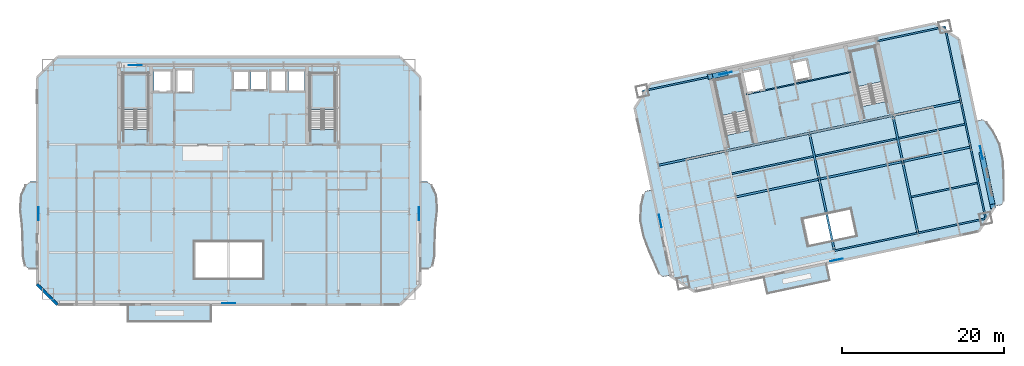
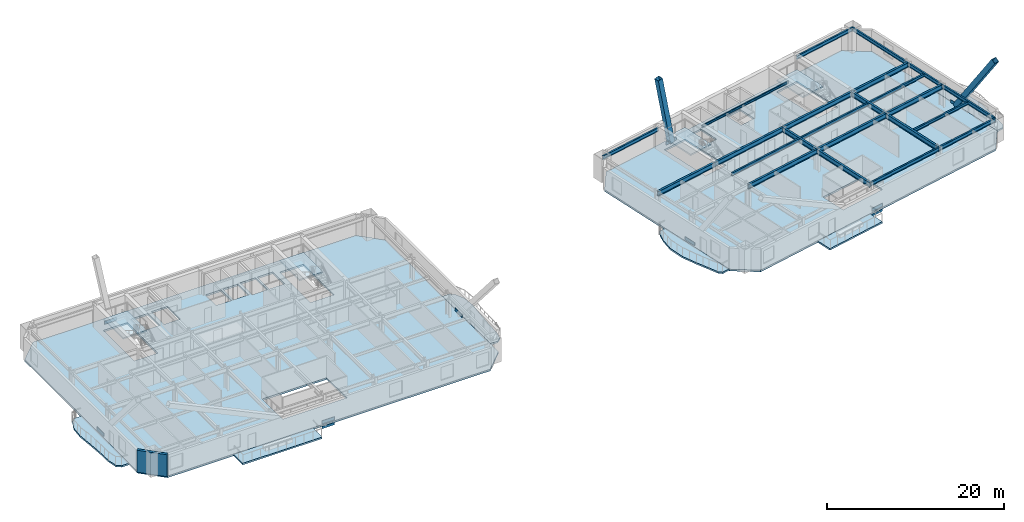
# One storey, part 4 of 15: 23 beams, 12 slabs, 8 plates, 2 members, 1 wall, 4 elements without a shape of their own.
"""IFC4 building model written with IfcOpenShell, lengths in metres."""

from ifc_helpers import new_model, si_unit, direction, frame, frame_2d, origin, origin_2d, place, context, subcontext, project, spatial, polyline, rectangle, hollow_rectangle, i_section, outline, extrude, material, layer, layer_set, material_profile, profile_set, type_object, element, aggregate, save


model = new_model("IFC4")

# Units and contexts
model_context = context("Model", 3, precision=1e-05, world=origin(), true_north=direction((0.0, 1.0)))
body_context = subcontext(model_context, "Body", "Model", "MODEL_VIEW")
ifc_project = project(units=[si_unit("LENGTHUNIT", "METRE"), si_unit("AREAUNIT", "SQUARE_METRE"), si_unit("VOLUMEUNIT", "CUBIC_METRE"), si_unit("PLANEANGLEUNIT", "RADIAN"), si_unit("MASSUNIT", "GRAM", prefix="KILO")], contexts=[model_context])

# Site, building, storey
site_placement = place(None, origin())
site = spatial("IfcSite", under=ifc_project, at=site_placement, CompositionType="ELEMENT")
building_placement = place(site_placement, origin())
building = spatial("IfcBuilding", under=site, at=building_placement, Name="Haevon Station Towers", CompositionType="ELEMENT")
storey_placement = place(building_placement, frame((0.0, 0.0, 103.199951171875)))
storey = spatial("IfcBuildingStorey", under=building, at=storey_placement, Name="L27", CompositionType="ELEMENT", Elevation=103.199951171875)

# Beams
ifc_material_1 = material(Name="Steel S355", Category="steel")
ifc_material_profile_1 = material_profile(ifc_material_1, i_section(OverallWidth=0.25, OverallDepth=0.64990234375, WebThickness=0.012939453125, FlangeThickness=0.02197265625, at=origin_2d()), Name="H-650x250x13x22")
ifc_profile_set_1 = profile_set([ifc_material_profile_1], Name="Steel S355")
beam_type_1 = type_object("IfcBeamType", Name="BM-G650", PredefinedType="BEAM", material=ifc_profile_set_1)
for number, where, z_axis, x_axis, name in (
    (1, (99.958251953125, 31.76904296875, 2.72509765625), (0.978146794194, 0.207915485254, 0.0), (-0.207915485254, 0.978146794194, 0.0), "BM-T2U-L27-02-02"),
    (2, (110.228759765625, 33.9521484375, 2.72509765625), (0.978146794194, 0.207915485254, 0.0), (-0.207915485254, 0.978146794194, 0.0), "BM-T2U-L27-02-03"),
):
    element("IfcBeam", number, at=place(storey_placement, frame(where, z_axis=z_axis, x_axis=x_axis)), inside=storey, type_object=beam_type_1, Name=name, PredefinedType="BEAM", context=body_context, shape_type="SweptSolid", body=[
        extrude(i_section(OverallWidth=0.25, OverallDepth=0.64990234375, WebThickness=0.012939453125, FlangeThickness=0.02197265625, at=origin_2d()), origin(), (0.0, 0.0, 1.0), 10.5),
    ])
for number, where, z_axis, x_axis, name in (
    (3, (120.499267578125, 36.13525390625, 2.72509765625), (0.978149560998, 0.207902468287, 0.0), (-0.207902468287, 0.978149560998, 0.0), "BM-T2U-L27-02-04"),
    (4, (90.38916015625, 35.664794921875, 2.72509765625), (0.978149560998, 0.207902468287, 0.0), (-0.207902468287, 0.978149560998, 0.0), "BM-T2U-L27-03-01"),
):
    element("IfcBeam", number, at=place(storey_placement, frame(where, z_axis=z_axis, x_axis=x_axis)), inside=storey, type_object=beam_type_1, Name=name, PredefinedType="BEAM", context=body_context, shape_type="SweptSolid", body=[
        extrude(i_section(OverallWidth=0.25, OverallDepth=0.64990234375, WebThickness=0.012939453125, FlangeThickness=0.02197265625, at=origin_2d()), origin(), (0.0, 0.0, 1.0), 8.550048828125),
    ])
for number, where, z_axis, x_axis, name in (
    (5, (98.75244140625, 37.4423828125, 2.72509765625), (0.978146794194, 0.207915485254, 0.0), (-0.207915485254, 0.978146794194, 0.0), "BM-T2U-L27-03-02"),
    (6, (109.02294921875, 39.62548828125, 2.72509765625), (0.978146794194, 0.207915485254, 0.0), (-0.207915485254, 0.978146794194, 0.0), "BM-T2U-L27-03-03"),
):
    element("IfcBeam", number, at=place(storey_placement, frame(where, z_axis=z_axis, x_axis=x_axis)), inside=storey, type_object=beam_type_1, Name=name, PredefinedType="BEAM", context=body_context, shape_type="SweptSolid", body=[
        extrude(i_section(OverallWidth=0.25, OverallDepth=0.64990234375, WebThickness=0.012939453125, FlangeThickness=0.02197265625, at=origin_2d()), origin(), (0.0, 0.0, 1.0), 10.5),
    ])
beam_1_placement = place(storey_placement, frame((119.29345703125, 41.80859375, 2.72509765625), z_axis=(0.978148326739, 0.2079082752, 0.0), x_axis=(-0.2079082752, 0.978148326739, 0.0)))
element("IfcBeam", 7, at=beam_1_placement, inside=storey, type_object=beam_type_1, Name="BM-T2U-L27-03-04", PredefinedType="BEAM", context=body_context, shape_type="SweptSolid", body=[
    extrude(i_section(OverallWidth=0.25, OverallDepth=0.64990234375, WebThickness=0.012939453125, FlangeThickness=0.02197265625, at=origin_2d()), origin(), (0.0, 0.0, 1.0), 8.5498046875),
])
beam_2_placement = place(storey_placement, frame((112.10009765625, 25.14892578125, 2.72509765625), z_axis=(-0.207928184753, 0.978144094694, 0.0), x_axis=(-0.978144094694, -0.207928184753, 0.0)))
element("IfcBeam", 8, at=beam_2_placement, inside=storey, type_object=beam_type_1, Name="BM-T2V-L27-03-01", PredefinedType="BEAM", context=body_context, shape_type="SweptSolid", body=[
    extrude(i_section(OverallWidth=0.25, OverallDepth=0.64990234375, WebThickness=0.012939453125, FlangeThickness=0.02197265625, at=origin_2d()), origin(), (0.0, 0.0, 1.0), 9.0),
])
beam_3_placement = place(storey_placement, frame((110.228759765625, 33.9521484375, 2.72509765625), z_axis=(-0.207896009217, 0.97815093383, 0.0), x_axis=(-0.97815093383, -0.207896009217, 0.0)))
element("IfcBeam", 9, at=beam_3_placement, inside=storey, type_object=beam_type_1, Name="BM-T2V-L27-03-02", PredefinedType="BEAM", context=body_context, shape_type="SweptSolid", body=[
    extrude(i_section(OverallWidth=0.25, OverallDepth=0.64990234375, WebThickness=0.012939453125, FlangeThickness=0.02197265625, at=origin_2d()), origin(), (0.0, 0.0, 1.0), 5.800048828125),
])
beam_4_placement = place(storey_placement, frame((122.37060546875, 27.33203125, 2.72509765625), z_axis=(-0.207928184753, 0.978144094694, 0.0), x_axis=(-0.978144094694, -0.207928184753, 0.0)))
element("IfcBeam", 10, at=beam_4_placement, inside=storey, type_object=beam_type_1, Name="BM-T2V-L27-04-01", PredefinedType="BEAM", context=body_context, shape_type="SweptSolid", body=[
    extrude(i_section(OverallWidth=0.25, OverallDepth=0.64990234375, WebThickness=0.012939453125, FlangeThickness=0.02197265625, at=origin_2d()), origin(), (0.0, 0.0, 1.0), 9.0),
])
beam_5_placement = place(storey_placement, frame((120.499267578125, 36.13525390625, 2.72509765625), z_axis=(-0.207896009217, 0.97815093383, 0.0), x_axis=(-0.97815093383, -0.207896009217, 0.0)))
element("IfcBeam", 11, at=beam_5_placement, inside=storey, type_object=beam_type_1, Name="BM-T2V-L27-04-02", PredefinedType="BEAM", context=body_context, shape_type="SweptSolid", body=[
    extrude(i_section(OverallWidth=0.25, OverallDepth=0.64990234375, WebThickness=0.012939453125, FlangeThickness=0.02197265625, at=origin_2d()), origin(), (0.0, 0.0, 1.0), 5.800048828125),
])
ifc_material_profile_2 = material_profile(ifc_material_1, i_section(OverallWidth=0.199951171875, OverallDepth=0.39990234375, WebThickness=0.008056640625, FlangeThickness=0.012939453125, at=origin_2d()), Name="H-400x200x8x13")
ifc_profile_set_2 = profile_set([ifc_material_profile_2], Name="Steel S355")
beam_type_2 = type_object("IfcBeamType", Name="BM-J400", PredefinedType="JOIST", material=ifc_profile_set_2)
beam_6_placement = place(storey_placement, frame((121.54248046875, 31.756591796875, 2.85009765625), z_axis=(0.978146782292, 0.207915541247, 0.0), x_axis=(-0.207915541247, 0.978146782292, 0.0)))
element("IfcBeam", 12, at=beam_6_placement, inside=storey, type_object=beam_type_2, Name="BM-T2J-L27-01-04", PredefinedType="JOIST", context=body_context, shape_type="SweptSolid", body=[
    extrude(i_section(OverallWidth=0.199951171875, OverallDepth=0.39990234375, WebThickness=0.008056640625, FlangeThickness=0.012939453125, at=origin_2d()), origin(), (0.0, 0.0, 1.0), 8.330078125),
])
for number, where, z_axis, x_axis, name in (
    (13, (99.462890625, 34.628662109375, 2.85009765625), (0.978150339653, 0.207898804801, 0.0), (-0.207898804801, 0.978150339653, 0.0), "BM-T2J-L27-02-02"),
    (14, (109.7333984375, 36.811767578125, 2.85009765625), (0.978150339653, 0.207898804801, 0.0), (-0.207898804801, 0.978150339653, 0.0), "BM-T2J-L27-02-03"),
):
    element("IfcBeam", number, at=place(storey_placement, frame(where, z_axis=z_axis, x_axis=x_axis)), inside=storey, type_object=beam_type_2, Name=name, PredefinedType="JOIST", context=body_context, shape_type="SweptSolid", body=[
        extrude(i_section(OverallWidth=0.199951171875, OverallDepth=0.39990234375, WebThickness=0.008056640625, FlangeThickness=0.012939453125, at=origin_2d()), origin(), (0.0, 0.0, 1.0), 10.280029296875),
    ])
beam_7_placement = place(storey_placement, frame((120.00390625, 38.994873046875, 2.85009765625), z_axis=(0.978146782292, 0.207915541247, 0.0), x_axis=(-0.207915541247, 0.978146782292, 0.0)))
element("IfcBeam", 15, at=beam_7_placement, inside=storey, type_object=beam_type_2, Name="BM-T2J-L27-02-04", PredefinedType="JOIST", context=body_context, shape_type="SweptSolid", body=[
    extrude(i_section(OverallWidth=0.199951171875, OverallDepth=0.39990234375, WebThickness=0.008056640625, FlangeThickness=0.012939453125, at=origin_2d()), origin(), (0.0, 0.0, 1.0), 8.330078125),
])
ifc_material_profile_3 = material_profile(ifc_material_1, i_section(OverallWidth=0.14990234375, OverallDepth=0.300048828125, WebThickness=0.006591796875, FlangeThickness=0.009033203125, at=origin_2d()), Name="H-300x150x6.5x9")
ifc_profile_set_3 = profile_set([ifc_material_profile_3], Name="Steel S355")
beam_type_3 = type_object("IfcBeamType", Name="BM-LIN300", PredefinedType="LINTEL", material=ifc_profile_set_3)
beam_8_placement = place(storey_placement, frame((101.20849609375, 44.4052734375, 2.900146484375), z_axis=(0.978147802964, 0.207910739399, 0.0), x_axis=(-0.207910739399, 0.978147802964, 0.0)))
element("IfcBeam", 16, at=beam_8_placement, inside=storey, type_object=beam_type_3, Name="BM-T2LIN-L27", PredefinedType="LINTEL", context=body_context, shape_type="SweptSolid", body=[
    extrude(i_section(OverallWidth=0.14990234375, OverallDepth=0.300048828125, WebThickness=0.006591796875, FlangeThickness=0.009033203125, at=origin_2d()), origin(), (0.0, 0.0, 1.0), 13.19970703125),
])
ifc_material_profile_4 = material_profile(ifc_material_1, i_section(OverallWidth=0.199951171875, OverallDepth=0.5, WebThickness=0.010009765625, FlangeThickness=0.01611328125, at=origin_2d()), Name="H-500x200x10x16")
ifc_profile_set_4 = profile_set([ifc_material_profile_4], Name="Steel S355")
beam_type_4 = type_object("IfcBeamType", Name="BM-SP500", PredefinedType="SPANDREL", material=ifc_profile_set_4)
beam_9_placement = place(storey_placement, frame((112.10009765625, 25.14892578125, 2.800048828125), z_axis=(0.978146794194, 0.207915485254, 0.0), x_axis=(-0.207915485254, 0.978146794194, 0.0)))
element("IfcBeam", 17, at=beam_9_placement, inside=storey, type_object=beam_type_4, Name="BM-T2U-L27-01-03", PredefinedType="SPANDREL", context=body_context, shape_type="SweptSolid", body=[
    extrude(i_section(OverallWidth=0.199951171875, OverallDepth=0.5, WebThickness=0.010009765625, FlangeThickness=0.01611328125, at=origin_2d()), origin(), (0.0, 0.0, 1.0), 10.5),
])
for number, where, z_axis, x_axis, name in (
    (18, (122.37060546875, 27.33203125, 2.800048828125), (0.978148326739, 0.2079082752, 0.0), (-0.2079082752, 0.978148326739, 0.0), "BM-T2U-L27-01-04"),
    (19, (88.4453125, 44.810546875, 2.800048828125), (0.978148326739, 0.2079082752, 0.0), (-0.2079082752, 0.978148326739, 0.0), "BM-T2U-L27-04-01"),
):
    element("IfcBeam", number, at=place(storey_placement, frame(where, z_axis=z_axis, x_axis=x_axis)), inside=storey, type_object=beam_type_4, Name=name, PredefinedType="SPANDREL", context=body_context, shape_type="SweptSolid", body=[
        extrude(i_section(OverallWidth=0.199951171875, OverallDepth=0.5, WebThickness=0.010009765625, FlangeThickness=0.01611328125, at=origin_2d()), origin(), (0.0, 0.0, 1.0), 8.5498046875),
    ])
beam_10_placement = place(storey_placement, frame((117.349365234375, 50.954345703125, 2.800048828125), z_axis=(0.978149560998, 0.207902468287, 0.0), x_axis=(-0.207902468287, 0.978149560998, 0.0)))
element("IfcBeam", 20, at=beam_10_placement, inside=storey, type_object=beam_type_4, Name="BM-T2U-L27-04-04", PredefinedType="SPANDREL", context=body_context, shape_type="SweptSolid", body=[
    extrude(i_section(OverallWidth=0.199951171875, OverallDepth=0.5, WebThickness=0.010009765625, FlangeThickness=0.01611328125, at=origin_2d()), origin(), (0.0, 0.0, 1.0), 8.550048828125),
])
beam_11_placement = place(storey_placement, frame((130.733642578125, 29.109619140625, 2.800048828125), z_axis=(-0.20790223038, 0.978149611564, 0.0), x_axis=(-0.978149611564, -0.20790223038, 0.0)))
element("IfcBeam", 21, at=beam_11_placement, inside=storey, type_object=beam_type_4, Name="BM-T2V-L27-05-01", PredefinedType="SPANDREL", context=body_context, shape_type="SweptSolid", body=[
    extrude(i_section(OverallWidth=0.199951171875, OverallDepth=0.5, WebThickness=0.010009765625, FlangeThickness=0.01611328125, at=origin_2d()), origin(), (0.0, 0.0, 1.0), 8.999755859375),
])
beam_12_placement = place(storey_placement, frame((128.862548828125, 37.912841796875, 2.800048828125), z_axis=(-0.207936282142, 0.978142373363, 0.0), x_axis=(-0.978142373363, -0.207936282142, 0.0)))
element("IfcBeam", 22, at=beam_12_placement, inside=storey, type_object=beam_type_4, Name="BM-T2V-L27-05-02", PredefinedType="SPANDREL", context=body_context, shape_type="SweptSolid", body=[
    extrude(i_section(OverallWidth=0.199951171875, OverallDepth=0.5, WebThickness=0.010009765625, FlangeThickness=0.01611328125, at=origin_2d()), origin(), (0.0, 0.0, 1.0), 5.800048828125),
])
beam_13_placement = place(storey_placement, frame((127.656494140625, 43.586181640625, 2.800048828125), z_axis=(-0.207897167074, 0.978150687738, 0.0), x_axis=(-0.978150687738, -0.207897167074, 0.0)))
element("IfcBeam", 23, at=beam_13_placement, inside=storey, type_object=beam_type_4, Name="BM-T2V-L27-05-03", PredefinedType="SPANDREL", context=body_context, shape_type="SweptSolid", body=[
    extrude(i_section(OverallWidth=0.199951171875, OverallDepth=0.5, WebThickness=0.010009765625, FlangeThickness=0.01611328125, at=origin_2d()), origin(), (0.0, 0.0, 1.0), 9.35009765625),
])

# Members
ifc_material_2 = material(Name="Steel S460", Category="steel")
ifc_material_profile_5 = material_profile(ifc_material_2, hollow_rectangle(XDim=0.64990234375, YDim=0.64990234375, WallThickness=0.031982421875, at=origin_2d()), Name="RHS-650x650x32")
ifc_profile_set_5 = profile_set([ifc_material_profile_5], Name="Steel S460")
member_type = type_object("IfcMemberType", Name="MB-650", PredefinedType="BRACE", material=ifc_profile_set_5)
member_1_placement = place(storey_placement, frame((98.62841796875, 46.974853515625, 0.19580078125), z_axis=(-0.186986273439, -0.039729880232, 0.98155879608), x_axis=(0.207835216976, -0.978163852626, 0.0)))
element("IfcMember", 24, at=member_1_placement, inside=storey, type_object=member_type, Name="BR-T2MB-T03-N-D2B", PredefinedType="BRACE", context=body_context, shape_type="SweptSolid", body=[
    extrude(hollow_rectangle(XDim=0.64990234375, YDim=0.64990234375, WallThickness=0.031982421875, at=origin_2d()), origin(), (0.0, 0.0, 1.0), 9.733642578125),
])
member_2_placement = place(storey_placement, frame((130.243896484375, 37.041015625, 0.143310546875), z_axis=(0.117256483499, -0.551590280889, 0.825832355327), x_axis=(0.978143146675, 0.207932644413, 0.0)))
element("IfcMember", 25, at=member_2_placement, inside=storey, type_object=member_type, Name="BR-T2MB-T03-E-D2B", PredefinedType="BRACE", context=body_context, shape_type="SweptSolid", body=[
    extrude(hollow_rectangle(XDim=0.64990234375, YDim=0.64990234375, WallThickness=0.031982421875, at=origin_2d()), origin(), (0.0, 0.0, 1.0), 11.6328125),
])

# Plates
ifc_material_3 = material(Name="PL-GUS1", Category="steel")
ifc_layer_1 = layer(ifc_material_3, 0.035888671875)
ifc_layer_set_1 = layer_set([ifc_layer_1], Name="PL-GUS1")
plate_type = type_object("IfcPlateType", Name="PL-GUS1", PredefinedType="USERDEFINED", material=ifc_layer_set_1)
for number, where, z_axis, x_axis, name in (
    (26, (37.5, 18.679931640625, -0.68505859375), (0.0, 0.0, 1.0), (1.0, 0.0, 0.0), "PL-T1GUS-T03-S"),
    (27, (25.97509765625, 48.0, -0.68505859375), (0.0, 0.0, 1.0), (1.0, 0.0, 0.0), "PL-T1GUS-T03-N"),
    (28, (14.080078125, 29.675048828125, -0.68505859375), (0.0, 0.0, 1.0), (0.0, 1.0, 0.0), "PL-T1GUS-T03-W"),
    (29, (60.919921875, 29.675048828125, -0.68505859375), (0.0, 0.0, 1.0), (0.0, 1.0, 0.0), "PL-T1GUS-T03-E"),
    (30, (112.34326171875, 24.00439453125, -0.68505859375), (0.0, 0.0, 1.0), (0.978147600734, 0.207911690818, 0.0), "PL-T2GUS-T03-S"),
    (31, (98.69140625, 46.98828125, -0.68505859375), (0.0, 0.0, 1.0), (0.978147600734, 0.207911690818, 0.0), "PL-T2GUS-T03-N"),
    (32, (90.648193359375, 28.819091796875, -0.68505859375), (0.0, 0.0, 1.0), (-0.207911690818, 0.978147600734, 0.0), "PL-T2GUS-T03-W"),
    (33, (130.204345703125, 37.22705078125, -0.68505859375), (0.0, 0.0, 1.0), (-0.207911690818, 0.978147600734, 0.0), "PL-T2GUS-T03-E"),
):
    element("IfcPlate", number, at=place(storey_placement, frame(where, z_axis=z_axis, x_axis=x_axis)), inside=storey, type_object=plate_type, Name=name, ObjectType="GUSSET_PLATE", PredefinedType="USERDEFINED", context=body_context, shape_type="SweptSolid", body=[
        extrude(rectangle(XDim=1.60009765625, YDim=0.035888671875, at=origin_2d()), origin(), (0.0, 0.0, 1.0), 1.10009765625),
    ])

# Slabs
ifc_material_4 = material(Name="Concrete C40/50", Category="concrete")
ifc_layer_2 = layer(ifc_material_4, 0.219970703125)
ifc_layer_set_2 = layer_set([ifc_layer_2], Name="Concrete C40/50")
slab_type_1 = type_object("IfcSlabType", Name="SL-BALC220", PredefinedType="FLOOR", material=ifc_layer_set_2)
slab_1_placement = place(storey_placement, frame((0.0, 0.0, -0.219970703125)))
element("IfcSlab", 34, at=slab_1_placement, inside=storey, type_object=slab_type_1, Name="Tower 1 L27 West SCALLOPED BALCONY", PredefinedType="FLOOR", context=body_context, shape_type="SweptSolid", body=[
    extrude(outline(polyline([(13.89501953125, 33.64990234375), (13.044921875, 33.64990234375), (12.484619140625, 33.239013671875), (11.941162109375, 32.068359375), (11.794921875, 30.31640625), (11.974365234375, 28.25), (12.11181640625, 26.18359375), (12.15185546875, 24.431640625), (12.396484375, 23.260986328125), (12.937744140625, 22.85009765625), (13.89501953125, 22.85009765625), (13.89501953125, 33.64990234375)])), origin(), (0.0, 0.0, 1.0), 0.219970703125),
])
slab_2_placement = place(storey_placement, frame((0.0, 0.0, -0.219970703125)))
element("IfcSlab", 35, at=slab_2_placement, inside=storey, type_object=slab_type_1, Name="Tower 1 L27 East SCALLOPED BALCONY", PredefinedType="FLOOR", context=body_context, shape_type="SweptSolid", body=[
    extrude(outline(polyline([(61.10498046875, 22.85009765625), (62.062255859375, 22.85009765625), (62.603515625, 23.260986328125), (62.84814453125, 24.431640625), (62.88818359375, 26.18359375), (63.025634765625, 28.25), (63.205078125, 30.31640625), (63.058837890625, 32.068359375), (62.515380859375, 33.239013671875), (61.955078125, 33.64990234375), (61.10498046875, 33.64990234375), (61.10498046875, 22.85009765625)])), origin(), (0.0, 0.0, 1.0), 0.219970703125),
])
slab_3_placement = place(storey_placement, frame((0.0, 0.0, -0.219970703125)))
element("IfcSlab", 36, at=slab_3_placement, inside=storey, type_object=slab_type_1, Name="Tower 1 L27 Planted Balcony Band", PredefinedType="FLOOR", context=body_context, shape_type="SweptSolid", body=[
    extrude(outline(polyline([(25.0, 16.39990234375), (35.39990234375, 16.39990234375), (35.39990234375, 18.4951171875), (25.0, 18.4951171875), (25.0, 16.39990234375)])), origin(), (0.0, 0.0, 1.0), 0.219970703125),
])
slab_4_placement = place(storey_placement, frame((0.0, 0.0, -0.219970703125)))
element("IfcSlab", 37, at=slab_4_placement, inside=storey, type_object=slab_type_1, Name="Tower 2 L27 West SCALLOPED BALCONY", PredefinedType="FLOOR", context=body_context, shape_type="SweptSolid", body=[
    extrude(outline(polyline([(89.640869140625, 32.668701171875), (88.809326171875, 32.491943359375), (88.5546875, 32.017578125), (88.264404296875, 30.75927734375), (88.151123046875, 28.944091796875), (88.533935546875, 26.912841796875), (89.320556640625, 24.96728515625), (90.058349609375, 23.3330078125), (90.54296875, 22.239501953125), (90.94970703125, 21.90576171875), (91.88623046875, 22.104736328125), (89.640869140625, 32.668701171875)])), origin(), (0.0, 0.0, 1.0), 0.219970703125),
])
slab_5_placement = place(storey_placement, frame((0.0, 0.0, -0.219970703125)))
element("IfcSlab", 38, at=slab_5_placement, inside=storey, type_object=slab_type_1, Name="Tower 2 L27 East SCALLOPED BALCONY", PredefinedType="FLOOR", context=body_context, shape_type="SweptSolid", body=[
    extrude(outline(polyline([(131.804443359375, 30.589599609375), (132.74072265625, 30.78857421875), (132.9765625, 31.259033203125), (132.974609375, 32.455322265625), (132.98388671875, 34.248291015625), (132.911376953125, 36.345458984375), (132.4345703125, 38.35693359375), (131.593017578125, 39.968994140625), (130.81591796875, 41.00048828125), (130.390380859375, 41.330322265625), (129.558837890625, 41.153564453125), (131.804443359375, 30.589599609375)])), origin(), (0.0, 0.0, 1.0), 0.219970703125),
])
slab_6_placement = place(storey_placement, frame((0.0, 0.0, -0.219970703125)))
element("IfcSlab", 39, at=slab_6_placement, inside=storey, type_object=slab_type_1, Name="Tower 2 L27 Planted Balcony Band", PredefinedType="FLOOR", context=body_context, shape_type="SweptSolid", body=[
    extrude(outline(polyline([(103.76953125, 19.85107421875), (111.5947265625, 21.514404296875), (111.158935546875, 23.563720703125), (103.333740234375, 21.900390625), (103.76953125, 19.85107421875)])), origin(), (0.0, 0.0, 1.0), 0.219970703125),
])

# Stair, slab
stair_type = type_object("IfcStairType", Name="STR-DL1450", PredefinedType="USERDEFINED", material=ifc_material_4)
stair_1_placement = place(storey_placement, origin())
stair_1 = element("IfcStair", 40, at=stair_1_placement, inside=storey, type_object=stair_type, Name="L27 Escape Stair ST1", ObjectType="TWO_RETURN_STAIR", PredefinedType="USERDEFINED")
ifc_layer_3 = layer(ifc_material_4, 0.199951171875)
ifc_layer_set_3 = layer_set([ifc_layer_3], Name="Concrete C40/50")
slab_type_2 = type_object("IfcSlabType", Name="SL-LND200", PredefinedType="LANDING", material=ifc_layer_set_3)
slab_7_placement = place(storey_placement, frame((0.0, 0.0, 1.449951171875)))
slab_7 = element("IfcSlab", 41, at=slab_7_placement, type_object=slab_type_2, Name="L27 ST1 Half Landing 1", PredefinedType="LANDING", context=body_context, shape_type="SweptSolid", body=[
    extrude(outline(polyline([(27.580078125, 42.56396484375), (27.580078125, 47.0), (24.47998046875, 47.0), (24.47998046875, 42.56396484375), (27.580078125, 42.56396484375)])), origin(), (0.0, 0.0, 1.0), 0.2001953125),
])
aggregate(stair_1, [slab_7])

stair_2_placement = place(storey_placement, origin())
stair_2 = element("IfcStair", 42, at=stair_2_placement, inside=storey, type_object=stair_type, Name="L27 Escape Stair ST2", ObjectType="TWO_RETURN_STAIR", PredefinedType="USERDEFINED")
slab_8_placement = place(storey_placement, frame((0.0, 0.0, 1.449951171875)))
slab_8 = element("IfcSlab", 43, at=slab_8_placement, type_object=slab_type_2, Name="L27 ST2 Half Landing 1", PredefinedType="LANDING", context=body_context, shape_type="SweptSolid", body=[
    extrude(outline(polyline([(50.6201171875, 42.56396484375), (50.6201171875, 47.0), (47.52001953125, 47.0), (47.52001953125, 42.56396484375), (50.6201171875, 42.56396484375)])), origin(), (0.0, 0.0, 1.0), 0.2001953125),
])
aggregate(stair_2, [slab_8])

stair_3_placement = place(storey_placement, origin())
stair_3 = element("IfcStair", 44, at=stair_3_placement, inside=storey, type_object=stair_type, Name="L27 Escape Stair ST3", ObjectType="TWO_RETURN_STAIR", PredefinedType="USERDEFINED")
slab_9_placement = place(storey_placement, frame((0.0, 0.0, 1.449951171875)))
slab_9 = element("IfcSlab", 45, at=slab_9_placement, type_object=slab_type_2, Name="L27 ST3 Half Landing 1", PredefinedType="LANDING", context=body_context, shape_type="SweptSolid", body=[
    extrude(outline(polyline([(101.2880859375, 42.44287109375), (100.36572265625, 46.781982421875), (97.33349609375, 46.137451171875), (98.255859375, 41.79833984375), (101.2880859375, 42.44287109375)])), origin(), (0.0, 0.0, 1.0), 0.2001953125),
])
aggregate(stair_3, [slab_9])

stair_4_placement = place(storey_placement, origin())
stair_4 = element("IfcStair", 46, at=stair_4_placement, inside=storey, type_object=stair_type, Name="L27 Escape Stair ST4", ObjectType="TWO_RETURN_STAIR", PredefinedType="USERDEFINED")
slab_10_placement = place(storey_placement, frame((0.0, 0.0, 1.449951171875)))
slab_10 = element("IfcSlab", 47, at=slab_10_placement, type_object=slab_type_2, Name="L27 ST4 Half Landing 1", PredefinedType="LANDING", context=body_context, shape_type="SweptSolid", body=[
    extrude(outline(polyline([(117.975341796875, 45.989990234375), (117.052978515625, 50.328857421875), (114.020751953125, 49.684326171875), (114.943115234375, 45.345458984375), (117.975341796875, 45.989990234375)])), origin(), (0.0, 0.0, 1.0), 0.2001953125),
])
aggregate(stair_4, [slab_10])

# Slabs
ifc_layer_4 = layer(ifc_material_4, 0.25)
ifc_layer_set_4 = layer_set([ifc_layer_4], Name="Concrete C40/50")
slab_type_3 = type_object("IfcSlabType", Name="SL-TW250", PredefinedType="FLOOR", material=ifc_layer_set_4)
slab_11_placement = place(storey_placement, frame((0.0, 0.0, -0.25)))
element("IfcSlab", 48, at=slab_11_placement, inside=storey, type_object=slab_type_3, Name="SL-T1-L27", PredefinedType="FLOOR", context=body_context, shape_type="SweptSolid", body=[
    extrude(outline(polyline([(16.39990234375, 18.5), (58.60009765625, 18.5), (61.10009765625, 21.0), (61.10009765625, 46.5), (58.60009765625, 49.0), (16.39990234375, 49.0), (13.89990234375, 46.5), (13.89990234375, 21.0), (16.39990234375, 18.5)]), holes=[polyline([(27.580078125, 40.055908203125), (27.580078125, 47.0), (24.47998046875, 47.0), (24.47998046875, 40.055908203125), (27.580078125, 40.055908203125)]), polyline([(50.6201171875, 40.055908203125), (50.6201171875, 47.0), (47.52001953125, 47.0), (47.52001953125, 40.055908203125), (50.6201171875, 40.055908203125)]), polyline([(28.300048828125, 44.699951171875), (30.5, 44.699951171875), (30.5, 47.39990234375), (28.300048828125, 47.39990234375), (28.300048828125, 44.699951171875)]), polyline([(31.050048828125, 44.60009765625), (33.14990234375, 44.60009765625), (33.14990234375, 47.5), (31.050048828125, 47.5), (31.050048828125, 44.60009765625)]), polyline([(38.0, 44.89990234375), (40.0, 44.89990234375), (40.0, 47.300048828125), (38.0, 47.300048828125), (38.0, 44.89990234375)]), polyline([(40.25, 44.89990234375), (42.25, 44.89990234375), (42.25, 47.300048828125), (40.25, 47.300048828125), (40.25, 44.89990234375)]), polyline([(42.60009765625, 44.699951171875), (44.60009765625, 44.699951171875), (44.60009765625, 47.39990234375), (42.60009765625, 47.39990234375), (42.60009765625, 44.699951171875)]), polyline([(44.85009765625, 44.699951171875), (46.85009765625, 44.699951171875), (46.85009765625, 47.39990234375), (44.85009765625, 47.39990234375), (44.85009765625, 44.699951171875)]), polyline([(33.300048828125, 21.699951171875), (41.699951171875, 21.699951171875), (41.699951171875, 26.300048828125), (33.300048828125, 26.300048828125), (33.300048828125, 21.699951171875)])]), origin(), (0.0, 0.0, 1.0), 0.25),
])
slab_12_placement = place(storey_placement, frame((0.0, 0.0, -0.25)))
element("IfcSlab", 49, at=slab_12_placement, inside=storey, type_object=slab_type_3, Name="SL-T2-L27", PredefinedType="FLOOR", context=body_context, shape_type="SweptSolid", body=[
    extrude(outline(polyline([(94.871826171875, 20.106689453125), (129.889404296875, 27.550048828125), (131.815185546875, 30.51513671875), (127.417724609375, 51.202880859375), (124.45263671875, 53.128662109375), (89.43505859375, 45.685302734375), (87.50927734375, 42.72021484375), (91.90673828125, 22.032470703125), (94.871826171875, 20.106689453125)]), holes=[polyline([(101.8095703125, 39.98974609375), (100.36572265625, 46.781982421875), (97.33349609375, 46.137451171875), (98.77734375, 39.34521484375), (101.8095703125, 39.98974609375)]), polyline([(118.496826171875, 43.53662109375), (117.052978515625, 50.328857421875), (114.020751953125, 49.684326171875), (115.464599609375, 42.89208984375), (118.496826171875, 43.53662109375)]), polyline([(101.43212890625, 44.554931640625), (103.486328125, 44.99169921875), (102.9248046875, 47.632568359375), (100.870849609375, 47.196044921875), (101.43212890625, 44.554931640625)]), polyline([(107.259521484375, 45.998046875), (109.2158203125, 46.413818359375), (108.716796875, 48.761474609375), (106.760498046875, 48.345703125), (107.259521484375, 45.998046875)]), polyline([(108.90576171875, 25.747802734375), (114.774658203125, 26.995361328125), (114.067626953125, 30.321044921875), (108.19873046875, 29.073486328125), (108.90576171875, 25.747802734375)])]), origin(), (0.0, 0.0, 1.0), 0.25),
])

# Wall
ifc_material_5 = material(Name="Precast concrete C45/55", Category="concrete")
ifc_layer_5 = layer(ifc_material_5, 0.320068359375)
ifc_layer_set_5 = layer_set([ifc_layer_5], Name="Precast concrete C45/55")
wall_type = type_object("IfcWallType", Name="WL-EXT-PIER320", PredefinedType="SOLIDWALL", material=ifc_layer_set_5)
wall_placement = place(storey_placement, frame((16.39990234375, 18.5, 0.0), z_axis=(0.0, 0.0, 1.0), x_axis=(-0.707106781187, 0.707106781187, 0.0)))
element("IfcWall", 50, at=wall_placement, inside=storey, type_object=wall_type, Name="WL-T1-L27-SWC", PredefinedType="SOLIDWALL", context=body_context, shape_type="SweptSolid", body=[
    extrude(rectangle(XDim=3.53564453125, YDim=0.320068359375, at=frame_2d((1.767822265625, 0.0))), origin(), (0.0, 0.0, 1.0), 3.030029296875),
])

save(model, "model.ifc")
